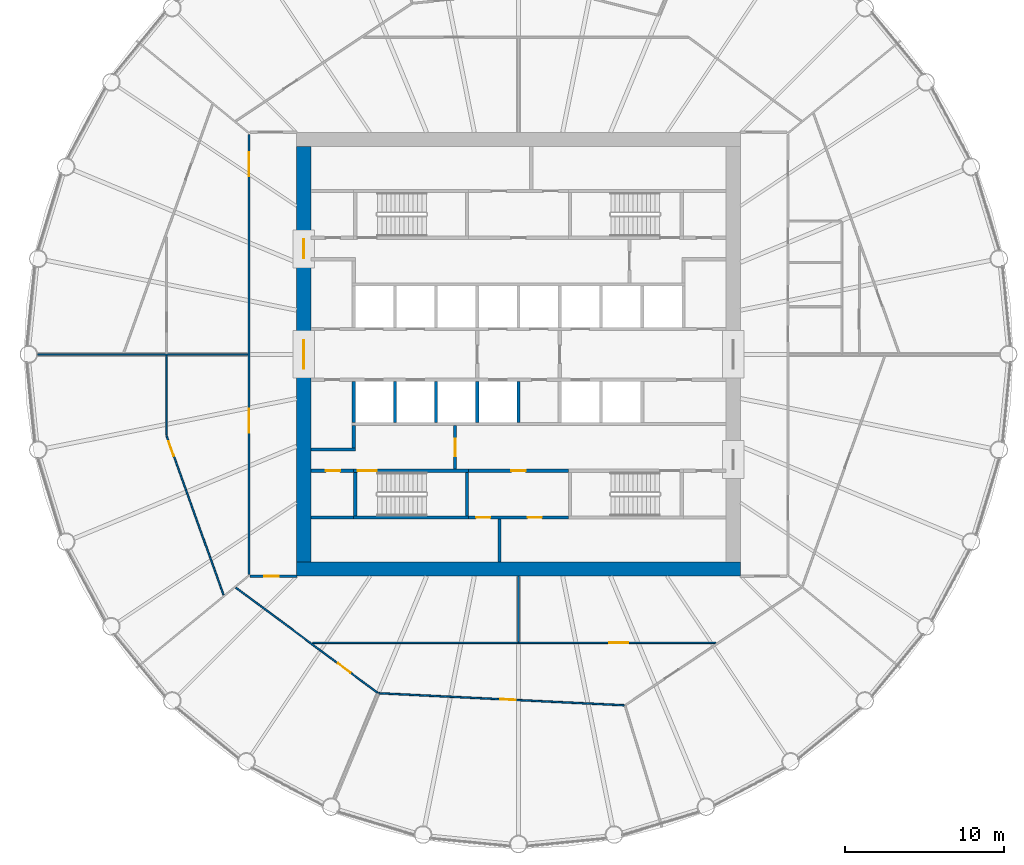
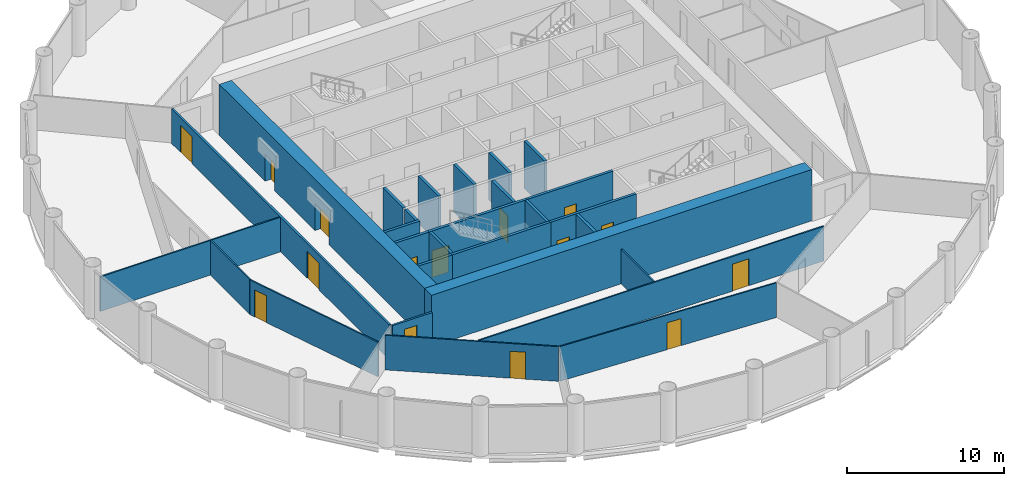
# One storey, part 4 of 9: 28 walls, 15 doors, 15 openings.
"""IFC4 building model written with IfcOpenShell, lengths in metres."""

from ifc_helpers import new_model, si_unit, direction, frame, frame_2d, origin, place, context, subcontext, project, spatial, polyline, rectangle, outline, extrude, material, layer, layer_set, type_object, element, fill, save


model = new_model("IFC4")

# Units and contexts
model_context = context("Model", 3, precision=1e-05, world=origin(), true_north=direction((0.0, 1.0)))
body_context = subcontext(model_context, "Body", "Model", "MODEL_VIEW")
ifc_project = project(units=[si_unit("LENGTHUNIT", "METRE"), si_unit("AREAUNIT", "SQUARE_METRE"), si_unit("VOLUMEUNIT", "CUBIC_METRE"), si_unit("PLANEANGLEUNIT", "RADIAN"), si_unit("MASSUNIT", "GRAM", prefix="KILO")], contexts=[model_context])

# Site, building, storey
site_placement = place(None, origin())
site = spatial("IfcSite", under=ifc_project, at=site_placement, CompositionType="ELEMENT")
building_placement = place(site_placement, origin())
building = spatial("IfcBuilding", under=site, at=building_placement, Name="Corvane Civic Tower", CompositionType="ELEMENT")
storey_placement = place(building_placement, frame((0.0, 0.0, 184.0)))
storey = spatial("IfcBuildingStorey", under=building, at=storey_placement, Name="L43", CompositionType="ELEMENT", Elevation=184.0)

# Wall
ifc_material_1 = material(Name="Concrete C60/75", Category="concrete")
ifc_layer_1 = layer(ifc_material_1, 0.89990234375)
ifc_layer_set_1 = layer_set([ifc_layer_1], Name="Concrete C60/75")
wall_type_1 = type_object("IfcWallType", Name="CORE WALL 900 C60/75", PredefinedType="SHEAR", material=ifc_layer_set_1)
wall_1_placement = place(storey_placement, frame((-14.0, -13.550048828125, 0.0), z_axis=(0.0, 0.0, 1.0), x_axis=(1.0, 0.0, 0.0)))
element("IfcWall", 1, at=wall_1_placement, inside=storey, type_object=wall_type_1, Name="W-L43-core-S", PredefinedType="SHEAR", context=body_context, shape_type="SweptSolid", body=[
    extrude(rectangle(XDim=28.0, YDim=0.89990234375, at=frame_2d((14.0, 0.0))), origin(), (0.0, 0.0, 1.0), 4.0),
])

# Wall, openings, doors
wall_2_placement = place(storey_placement, frame((-13.550048828125, -13.10009765625, 0.0), z_axis=(0.0, 0.0, 1.0), x_axis=(0.0, 1.0, 0.0)))
wall_2 = element("IfcWall", 2, at=wall_2_placement, inside=storey, type_object=wall_type_1, Name="W-L43-core-W", PredefinedType="SHEAR", context=body_context, shape_type="SweptSolid", body=[
    extrude(rectangle(XDim=26.2001953125, YDim=0.89990234375, at=frame_2d((13.10009765625, 0.0))), origin(), (0.0, 0.0, 1.0), 4.0),
])
opening_1_placement = place(wall_2_placement, frame((12.199951171875, 0.0, 0.0)))
opening_1 = element("IfcOpeningElement", 3, at=opening_1_placement, cuts=wall_2, Name="Opening L43.C24", PredefinedType="OPENING", context=body_context, shape_type="SweptSolid", body=[
    extrude(rectangle(XDim=1.800048828125, YDim=2.10009765625, at=frame_2d((0.89990234375, 1.050048828125))), frame((0.0, 0.4599609375, 0.0), z_axis=(0.0, -1.0, 0.0), x_axis=(1.0, 0.0, 0.0)), (0.0, 0.0, 1.0), 0.919921875),
])
opening_2_placement = place(wall_2_placement, frame((19.14990234375, 0.0, 0.0)))
opening_2 = element("IfcOpeningElement", 4, at=opening_2_placement, cuts=wall_2, Name="Opening L43.C26", PredefinedType="OPENING", context=body_context, shape_type="SweptSolid", body=[
    extrude(rectangle(XDim=1.199951171875, YDim=2.10009765625, at=frame_2d((0.60009765625, 1.050048828125))), frame((0.0, 0.4599609375, 0.0), z_axis=(0.0, -1.0, 0.0), x_axis=(1.0, 0.0, 0.0)), (0.0, 0.0, 1.0), 0.919921875),
])
ifc_material_2 = material(Name="Steel fire door leaf", Category="steel")
door_type_1 = type_object("IfcDoorType", Name="CR-DOOR-CORE-1800", OperationType="DOUBLE_DOOR_SINGLE_SWING", PredefinedType="DOOR", material=ifc_material_2)
door_1_placement = place(opening_1_placement, origin())
door_1 = element("IfcDoor", 5, at=door_1_placement, inside=storey, type_object=door_type_1, Name="L43 door", OperationType="DOUBLE_DOOR_SINGLE_SWING", OverallHeight=2.10009765625, OverallWidth=1.800048828125, PredefinedType="DOOR", context=body_context, shape_type="SweptSolid", body=[
    extrude(rectangle(XDim=1.800048828125, YDim=2.10009765625, at=frame_2d((0.89990234375, 1.050048828125))), frame((0.0, 0.02490234375, 0.0), z_axis=(0.0, -1.0, 0.0), x_axis=(1.0, 0.0, 0.0)), (0.0, 0.0, 1.0), 0.050048828125),
])
fill(opening_1, door_1)
door_2_placement = place(opening_2_placement, origin())
door_2 = element("IfcDoor", 6, at=door_2_placement, inside=storey, type_object=door_type_1, Name="L43 door", OperationType="DOUBLE_DOOR_SINGLE_SWING", OverallHeight=2.10009765625, OverallWidth=1.199951171875, PredefinedType="DOOR", context=body_context, shape_type="SweptSolid", body=[
    extrude(rectangle(XDim=1.199951171875, YDim=2.10009765625, at=frame_2d((0.60009765625, 1.050048828125))), frame((0.0, 0.02490234375, 0.0), z_axis=(0.0, -1.0, 0.0), x_axis=(1.0, 0.0, 0.0)), (0.0, 0.0, 1.0), 0.050048828125),
])
fill(opening_2, door_2)

ifc_material_3 = material(Name="Concrete C30/37", Category="concrete")
ifc_layer_2 = layer(ifc_material_3, 0.199951171875)
ifc_layer_set_2 = layer_set([ifc_layer_2], Name="Concrete C30/37")
wall_type_2 = type_object("IfcWallType", Name="CR-WALL-200", PredefinedType="PARTITIONING", material=ifc_layer_set_2)
wall_3_placement = place(storey_placement, frame((-3.14990234375, -10.300048828125, 0.0), z_axis=(0.0, 0.0, 1.0), x_axis=(1.0, 0.0, 0.0)))
wall_3 = element("IfcWall", 7, at=wall_3_placement, inside=storey, type_object=wall_type_2, Name="L43 partition wall", PredefinedType="PARTITIONING", context=body_context, shape_type="SweptSolid", body=[
    extrude(rectangle(XDim=6.2998046875, YDim=0.199951171875, at=frame_2d((3.14990234375, 0.0))), origin(), (0.0, 0.0, 1.0), 3.699951171875),
])
opening_3_placement = place(wall_3_placement, frame((0.47509765625, 0.0, 0.0)))
opening_3 = element("IfcOpeningElement", 8, at=opening_3_placement, cuts=wall_3, Name="Opening L43.C10", PredefinedType="OPENING", context=body_context, shape_type="SweptSolid", body=[
    extrude(rectangle(XDim=0.89990234375, YDim=2.10009765625, at=frame_2d((0.449951171875, 1.050048828125))), frame((0.0, 0.10986328125, 0.0), z_axis=(0.0, -1.0, 0.0), x_axis=(1.0, 0.0, 0.0)), (0.0, 0.0, 1.0), 0.219970703125),
])
opening_4_placement = place(wall_3_placement, frame((3.72509765625, 0.0, 0.0)))
opening_4 = element("IfcOpeningElement", 9, at=opening_4_placement, cuts=wall_3, Name="Opening L43.C11", PredefinedType="OPENING", context=body_context, shape_type="SweptSolid", body=[
    extrude(rectangle(XDim=0.89990234375, YDim=2.10009765625, at=frame_2d((0.449951171875, 1.050048828125))), frame((0.0, 0.10986328125, 0.0), z_axis=(0.0, -1.0, 0.0), x_axis=(1.0, 0.0, 0.0)), (0.0, 0.0, 1.0), 0.219970703125),
])
ifc_material_4 = material(Name="Steel fire door leaf", Category="steel")
door_type_2 = type_object("IfcDoorType", Name="CR-DOOR-900", OperationType="SINGLE_SWING_LEFT", PredefinedType="DOOR", material=ifc_material_4)
door_3_placement = place(opening_3_placement, origin())
door_3 = element("IfcDoor", 10, at=door_3_placement, inside=storey, type_object=door_type_2, Name="L43 door", OperationType="SINGLE_SWING_LEFT", OverallHeight=2.10009765625, OverallWidth=0.89990234375, PredefinedType="DOOR", context=body_context, shape_type="SweptSolid", body=[
    extrude(rectangle(XDim=0.89990234375, YDim=2.10009765625, at=frame_2d((0.449951171875, 1.050048828125))), frame((0.0, 0.02490234375, 0.0), z_axis=(0.0, -1.0, 0.0), x_axis=(1.0, 0.0, 0.0)), (0.0, 0.0, 1.0), 0.050048828125),
])
fill(opening_3, door_3)
door_4_placement = place(opening_4_placement, origin())
door_4 = element("IfcDoor", 11, at=door_4_placement, inside=storey, type_object=door_type_2, Name="L43 door", OperationType="SINGLE_SWING_LEFT", OverallHeight=2.10009765625, OverallWidth=0.89990234375, PredefinedType="DOOR", context=body_context, shape_type="SweptSolid", body=[
    extrude(rectangle(XDim=0.89990234375, YDim=2.10009765625, at=frame_2d((0.449951171875, 1.050048828125))), frame((0.0, 0.02490234375, 0.0), z_axis=(0.0, -1.0, 0.0), x_axis=(1.0, 0.0, 0.0)), (0.0, 0.0, 1.0), 0.050048828125),
])
fill(opening_4, door_4)

# Wall, opening, door
wall_4_placement = place(storey_placement, frame((-13.10009765625, -7.35009765625, 0.0), z_axis=(0.0, 0.0, 1.0), x_axis=(1.0, 0.0, 0.0)))
wall_4 = element("IfcWall", 12, at=wall_4_placement, inside=storey, type_object=wall_type_2, Name="L43 core partition wall", PredefinedType="PARTITIONING", context=body_context, shape_type="SweptSolid", body=[
    extrude(rectangle(XDim=2.7001953125, YDim=0.199951171875, at=frame_2d((1.35009765625, 0.0))), origin(), (0.0, 0.0, 1.0), 3.699951171875),
])
opening_5_placement = place(wall_4_placement, frame((0.949951171875, 0.0, 0.0)))
opening_5 = element("IfcOpeningElement", 13, at=opening_5_placement, cuts=wall_4, Name="Opening L43.C13", PredefinedType="OPENING", context=body_context, shape_type="SweptSolid", body=[
    extrude(rectangle(XDim=0.89990234375, YDim=2.10009765625, at=frame_2d((0.449951171875, 1.050048828125))), frame((0.0, 0.10986328125, 0.0), z_axis=(0.0, -1.0, 0.0), x_axis=(1.0, 0.0, 0.0)), (0.0, 0.0, 1.0), 0.219970703125),
])
door_5_placement = place(opening_5_placement, origin())
door_5 = element("IfcDoor", 14, at=door_5_placement, inside=storey, type_object=door_type_2, Name="L43 door", OperationType="SINGLE_SWING_LEFT", OverallHeight=2.10009765625, OverallWidth=0.89990234375, PredefinedType="DOOR", context=body_context, shape_type="SweptSolid", body=[
    extrude(rectangle(XDim=0.89990234375, YDim=2.10009765625, at=frame_2d((0.449951171875, 1.050048828125))), frame((0.0, 0.02490234375, 0.0), z_axis=(0.0, -1.0, 0.0), x_axis=(1.0, 0.0, 0.0)), (0.0, 0.0, 1.0), 0.050048828125),
])
fill(opening_5, door_5)

wall_5_placement = place(storey_placement, frame((-3.14990234375, -7.35009765625, 0.0), z_axis=(0.0, 0.0, 1.0), x_axis=(1.0, 0.0, 0.0)))
wall_5 = element("IfcWall", 15, at=wall_5_placement, inside=storey, type_object=wall_type_2, Name="L43 core partition wall", PredefinedType="PARTITIONING", context=body_context, shape_type="SweptSolid", body=[
    extrude(rectangle(XDim=6.2998046875, YDim=0.199951171875, at=frame_2d((3.14990234375, 0.0))), origin(), (0.0, 0.0, 1.0), 3.699951171875),
])
opening_6_placement = place(wall_5_placement, frame((2.699951171875, 0.0, 0.0)))
opening_6 = element("IfcOpeningElement", 16, at=opening_6_placement, cuts=wall_5, Name="Opening L43.C07", PredefinedType="OPENING", context=body_context, shape_type="SweptSolid", body=[
    extrude(rectangle(XDim=0.89990234375, YDim=2.10009765625, at=frame_2d((0.449951171875, 1.050048828125))), frame((0.0, 0.10986328125, 0.0), z_axis=(0.0, -1.0, 0.0), x_axis=(1.0, 0.0, 0.0)), (0.0, 0.0, 1.0), 0.219970703125),
])
door_6_placement = place(opening_6_placement, origin())
door_6 = element("IfcDoor", 17, at=door_6_placement, inside=storey, type_object=door_type_2, Name="L43 door", OperationType="SINGLE_SWING_LEFT", OverallHeight=2.10009765625, OverallWidth=0.89990234375, PredefinedType="DOOR", context=body_context, shape_type="SweptSolid", body=[
    extrude(rectangle(XDim=0.89990234375, YDim=2.10009765625, at=frame_2d((0.449951171875, 1.050048828125))), frame((0.0, 0.02490234375, 0.0), z_axis=(0.0, -1.0, 0.0), x_axis=(1.0, 0.0, 0.0)), (0.0, 0.0, 1.0), 0.050048828125),
])
fill(opening_6, door_6)

wall_6_placement = place(storey_placement, frame((-4.0, -7.25, 0.0), z_axis=(0.0, 0.0, 1.0), x_axis=(0.0, 1.0, 0.0)))
wall_6 = element("IfcWall", 18, at=wall_6_placement, inside=storey, type_object=wall_type_2, Name="L43 core partition wall", PredefinedType="PARTITIONING", context=body_context, shape_type="SweptSolid", body=[
    extrude(rectangle(XDim=2.75, YDim=0.199951171875, at=frame_2d((1.375, 0.0))), origin(), (0.0, 0.0, 1.0), 3.699951171875),
])
opening_7_placement = place(wall_6_placement, frame((0.824951171875, 0.0, 0.0)))
opening_7 = element("IfcOpeningElement", 19, at=opening_7_placement, cuts=wall_6, Name="Opening L43.C23", PredefinedType="OPENING", context=body_context, shape_type="SweptSolid", body=[
    extrude(rectangle(XDim=1.10009765625, YDim=2.10009765625, at=frame_2d((0.550048828125, 1.050048828125))), frame((0.0, 0.10986328125, 0.0), z_axis=(0.0, -1.0, 0.0), x_axis=(1.0, 0.0, 0.0)), (0.0, 0.0, 1.0), 0.219970703125),
])
ifc_material_5 = material(Name="Steel fire door leaf", Category="steel")
door_type_3 = type_object("IfcDoorType", Name="CR-DOOR-FFL-1100", OperationType="SINGLE_SWING_LEFT", PredefinedType="DOOR", material=ifc_material_5)
door_7_placement = place(opening_7_placement, origin())
door_7 = element("IfcDoor", 20, at=door_7_placement, inside=storey, type_object=door_type_3, Name="L43 lobby door", OperationType="SINGLE_SWING_LEFT", OverallHeight=2.10009765625, OverallWidth=1.10009765625, PredefinedType="DOOR", context=body_context, shape_type="SweptSolid", body=[
    extrude(rectangle(XDim=1.10009765625, YDim=2.10009765625, at=frame_2d((0.550048828125, 1.050048828125))), frame((0.0, 0.02490234375, 0.0), z_axis=(0.0, -1.0, 0.0), x_axis=(1.0, 0.0, 0.0)), (0.0, 0.0, 1.0), 0.050048828125),
])
fill(opening_7, door_7)

# Walls
wall_7_placement = place(storey_placement, origin())
element("IfcWall", 21, at=wall_7_placement, inside=storey, type_object=wall_type_2, Name="L43 core partition wall", PredefinedType="PARTITIONING", context=body_context, shape_type="SweptSolid", body=[
    extrude(outline(polyline([(-10.300048828125, -6.10009765625), (-13.10009765625, -6.10009765625), (-13.10009765625, -5.89990234375), (-10.300048828125, -5.89990234375), (-10.300048828125, -6.10009765625)])), origin(), (0.0, 0.0, 1.0), 3.699951171875),
])
wall_8_placement = place(storey_placement, origin())
element("IfcWall", 22, at=wall_8_placement, inside=storey, type_object=wall_type_2, Name="L43 core partition wall", PredefinedType="PARTITIONING", context=body_context, shape_type="SweptSolid", body=[
    extrude(outline(polyline([(-2.5, -1.699951171875), (-2.5, -4.2998046875), (-2.699951171875, -4.2998046875), (-2.699951171875, -1.699951171875), (-2.5, -1.699951171875)])), origin(), (0.0, 0.0, 1.0), 3.699951171875),
])
wall_9_placement = place(storey_placement, origin())
element("IfcWall", 23, at=wall_9_placement, inside=storey, type_object=wall_type_2, Name="L43 core partition wall", PredefinedType="PARTITIONING", context=body_context, shape_type="SweptSolid", body=[
    extrude(outline(polyline([(0.10009765625, -1.699951171875), (0.10009765625, -4.2998046875), (-0.10009765625, -4.2998046875), (-0.10009765625, -1.699951171875), (0.10009765625, -1.699951171875)])), origin(), (0.0, 0.0, 1.0), 3.699951171875),
])
wall_10_placement = place(storey_placement, origin())
element("IfcWall", 24, at=wall_10_placement, inside=storey, type_object=wall_type_2, Name="L43 core partition wall", PredefinedType="PARTITIONING", context=body_context, shape_type="SweptSolid", body=[
    extrude(outline(polyline([(-10.300048828125, -1.699951171875), (-10.300048828125, -4.2998046875), (-10.5, -4.2998046875), (-10.5, -1.699951171875), (-10.300048828125, -1.699951171875)])), origin(), (0.0, 0.0, 1.0), 3.699951171875),
])
wall_11_placement = place(storey_placement, origin())
element("IfcWall", 25, at=wall_11_placement, inside=storey, type_object=wall_type_2, Name="L43 core partition wall", PredefinedType="PARTITIONING", context=body_context, shape_type="SweptSolid", body=[
    extrude(outline(polyline([(-7.699951171875, -1.699951171875), (-7.699951171875, -4.2998046875), (-7.89990234375, -4.2998046875), (-7.89990234375, -1.699951171875), (-7.699951171875, -1.699951171875)])), origin(), (0.0, 0.0, 1.0), 3.699951171875),
])
wall_12_placement = place(storey_placement, origin())
element("IfcWall", 26, at=wall_12_placement, inside=storey, type_object=wall_type_2, Name="L43 core partition wall", PredefinedType="PARTITIONING", context=body_context, shape_type="SweptSolid", body=[
    extrude(outline(polyline([(-5.10009765625, -1.699951171875), (-5.10009765625, -4.2998046875), (-5.300048828125, -4.2998046875), (-5.300048828125, -1.699951171875), (-5.10009765625, -1.699951171875)])), origin(), (0.0, 0.0, 1.0), 3.699951171875),
])
wall_13_placement = place(storey_placement, origin())
element("IfcWall", 27, at=wall_13_placement, inside=storey, type_object=wall_type_2, Name="L43 core partition wall", PredefinedType="PARTITIONING", context=body_context, shape_type="SweptSolid", body=[
    extrude(outline(polyline([(-10.300048828125, -5.89990234375), (-10.5, -5.89990234375), (-10.5, -4.5), (-10.300048828125, -4.5), (-10.300048828125, -5.89990234375)])), origin(), (0.0, 0.0, 1.0), 3.699951171875),
])
wall_14_placement = place(storey_placement, origin())
element("IfcWall", 28, at=wall_14_placement, inside=storey, type_object=wall_type_2, Name="L43 core partition wall", PredefinedType="PARTITIONING", context=body_context, shape_type="SweptSolid", body=[
    extrude(outline(polyline([(-10.39990234375, -10.39990234375), (-13.10009765625, -10.39990234375), (-13.10009765625, -10.199951171875), (-10.39990234375, -10.199951171875), (-10.39990234375, -10.39990234375)])), origin(), (0.0, 0.0, 1.0), 3.699951171875),
])
wall_15_placement = place(storey_placement, origin())
element("IfcWall", 29, at=wall_15_placement, inside=storey, type_object=wall_type_2, Name="L43 core partition wall", PredefinedType="PARTITIONING", context=body_context, shape_type="SweptSolid", body=[
    extrude(outline(polyline([(-1.10009765625, -13.10009765625), (-1.300048828125, -13.10009765625), (-1.300048828125, -10.39990234375), (-1.10009765625, -10.39990234375), (-1.10009765625, -13.10009765625)])), origin(), (0.0, 0.0, 1.0), 3.699951171875),
])

# Wall, opening, door
ifc_material_6 = material(Name="Plasterboard")
ifc_layer_3 = layer(ifc_material_6, 0.10009765625)
ifc_layer_set_3 = layer_set([ifc_layer_3], Name="Plasterboard")
wall_type_3 = type_object("IfcWallType", Name="Partition 100 plasterboard on studs", PredefinedType="PARTITIONING", material=ifc_layer_set_3)
wall_16_placement = place(storey_placement, frame((-8.8203125, -21.380859375, 0.0), z_axis=(0.0, 0.0, 1.0), x_axis=(0.998795808247, -0.049060507826, 0.0)))
wall_16 = element("IfcWall", 30, at=wall_16_placement, inside=storey, type_object=wall_type_3, Name="Partition L43.003", PredefinedType="PARTITIONING", context=body_context, shape_type="SweptSolid", body=[
    extrude(rectangle(XDim=15.521240234375, YDim=0.10009765625, at=frame_2d((7.7607421875, 0.0))), origin(), (0.0, 0.0, 1.0), 2.699951171875),
])
opening_8_placement = place(wall_16_placement, frame((7.666259765625, 0.0, 0.0)))
opening_8 = element("IfcOpeningElement", 31, at=opening_8_placement, cuts=wall_16, Name="Opening L43.008", PredefinedType="OPENING", context=body_context, shape_type="SweptSolid", body=[
    extrude(rectangle(XDim=1.0, YDim=2.10009765625, at=frame_2d((0.5, 1.050048828125))), frame((0.0, 0.06005859375, 0.0), z_axis=(0.0, -1.0, 0.0), x_axis=(1.0, 0.0, 0.0)), (0.0, 0.0, 1.0), 0.1201171875),
])
ifc_material_7 = material(Name="Timber", Category="wood")
door_type_4 = type_object("IfcDoorType", Name="Single door 1000", OperationType="NOTDEFINED", PredefinedType="DOOR", material=ifc_material_7)
door_8_placement = place(opening_8_placement, frame((1.0, 0.0, 0.0), z_axis=(0.0, 0.0, 1.0), x_axis=(-1.0, 0.0, 0.0)))
door_8 = element("IfcDoor", 32, at=door_8_placement, inside=storey, type_object=door_type_4, Name="Door L43.008", OperationType="SINGLE_SWING_RIGHT", OverallHeight=2.10009765625, OverallWidth=1.0, PredefinedType="DOOR", context=body_context, shape_type="SweptSolid", body=[
    extrude(rectangle(XDim=1.0, YDim=2.10009765625, at=frame_2d((0.5, 1.050048828125))), frame((0.0, 0.02490234375, 0.0), z_axis=(0.0, -1.0, 0.0), x_axis=(1.0, 0.0, 0.0)), (0.0, 0.0, 1.0), 0.050048828125),
])
fill(opening_8, door_8)

wall_17_placement = place(storey_placement, frame((-17.83642578125, -14.718505859375, 0.0), z_axis=(0.0, 0.0, 1.0), x_axis=(0.803222478357, -0.595679150434, 0.0)))
wall_17 = element("IfcWall", 33, at=wall_17_placement, inside=storey, type_object=wall_type_3, Name="Partition L43.005", PredefinedType="PARTITIONING", context=body_context, shape_type="SweptSolid", body=[
    extrude(rectangle(XDim=11.142333984375, YDim=0.10009765625, at=frame_2d((5.5712890625, 0.0))), origin(), (0.0, 0.0, 1.0), 2.699951171875),
])
opening_9_placement = place(wall_17_placement, frame((8.012939453125, 0.0, 0.0)))
opening_9 = element("IfcOpeningElement", 34, at=opening_9_placement, cuts=wall_17, Name="Opening L43.009", PredefinedType="OPENING", context=body_context, shape_type="SweptSolid", body=[
    extrude(rectangle(XDim=1.0, YDim=2.10009765625, at=frame_2d((0.5, 1.050048828125))), frame((0.0, 0.06005859375, 0.0), z_axis=(0.0, -1.0, 0.0), x_axis=(1.0, 0.0, 0.0)), (0.0, 0.0, 1.0), 0.1201171875),
])
door_9_placement = place(opening_9_placement, frame((1.0, 0.0, 0.0), z_axis=(0.0, 0.0, 1.0), x_axis=(-1.0, 0.0, 0.0)))
door_9 = element("IfcDoor", 35, at=door_9_placement, inside=storey, type_object=door_type_4, Name="Door L43.009", OperationType="SINGLE_SWING_LEFT", OverallHeight=2.10009765625, OverallWidth=1.0, PredefinedType="DOOR", context=body_context, shape_type="SweptSolid", body=[
    extrude(rectangle(XDim=1.0, YDim=2.10009765625, at=frame_2d((0.5, 1.050048828125))), frame((0.0, 0.02490234375, 0.0), z_axis=(0.0, -1.0, 0.0), x_axis=(1.0, 0.0, 0.0)), (0.0, 0.0, 1.0), 0.050048828125),
])
fill(opening_9, door_9)

wall_18_placement = place(storey_placement, frame((-12.990478515625, -18.199951171875, 0.0), z_axis=(0.0, 0.0, 1.0), x_axis=(1.0, 0.0, 0.0)))
wall_18 = element("IfcWall", 36, at=wall_18_placement, inside=storey, type_object=wall_type_3, Name="Partition L43.008", PredefinedType="PARTITIONING", context=body_context, shape_type="SweptSolid", body=[
    extrude(rectangle(XDim=25.44580078125, YDim=0.10009765625, at=frame_2d((12.722900390625, 0.0))), origin(), (0.0, 0.0, 1.0), 2.699951171875),
])
opening_10_placement = place(wall_18_placement, frame((18.70068359375, 0.0, 0.0)))
opening_10 = element("IfcOpeningElement", 37, at=opening_10_placement, cuts=wall_18, Name="Opening L43.010", PredefinedType="OPENING", context=body_context, shape_type="SweptSolid", body=[
    extrude(rectangle(XDim=1.199951171875, YDim=2.10009765625, at=frame_2d((0.60009765625, 1.050048828125))), frame((0.0, 0.06005859375, 0.0), z_axis=(0.0, -1.0, 0.0), x_axis=(1.0, 0.0, 0.0)), (0.0, 0.0, 1.0), 0.1201171875),
])
ifc_material_8 = material(Name="Timber", Category="wood")
door_type_5 = type_object("IfcDoorType", Name="Double door 1200", OperationType="NOTDEFINED", PredefinedType="DOOR", material=ifc_material_8)
door_10_placement = place(opening_10_placement, frame((1.199951171875, 0.0, 0.0), z_axis=(0.0, 0.0, 1.0), x_axis=(-1.0, 0.0, 0.0)))
door_10 = element("IfcDoor", 38, at=door_10_placement, inside=storey, type_object=door_type_5, Name="Door L43.010", OperationType="DOUBLE_DOOR_SINGLE_SWING", OverallHeight=2.10009765625, OverallWidth=1.199951171875, PredefinedType="DOOR", context=body_context, shape_type="SweptSolid", body=[
    extrude(rectangle(XDim=1.199951171875, YDim=2.10009765625, at=frame_2d((0.60009765625, 1.050048828125))), frame((0.0, 0.02490234375, 0.0), z_axis=(0.0, -1.0, 0.0), x_axis=(1.0, 0.0, 0.0)), (0.0, 0.0, 1.0), 0.050048828125),
])
fill(opening_10, door_10)

# Wall
wall_19_placement = place(storey_placement, frame((0.0, -18.14990234375, 0.0), z_axis=(0.0, 0.0, 1.0), x_axis=(0.0, 1.0, 0.0)))
element("IfcWall", 39, at=wall_19_placement, inside=storey, type_object=wall_type_3, Name="Partition L43.009", PredefinedType="PARTITIONING", context=body_context, shape_type="SweptSolid", body=[
    extrude(rectangle(XDim=4.14990234375, YDim=0.10009765625, at=frame_2d((2.074951171875, 0.0))), origin(), (0.0, 0.0, 1.0), 2.699951171875),
])

# Wall, opening, door
wall_20_placement = place(storey_placement, frame((-22.20703125, -5.127197265625, 0.0), z_axis=(0.0, 0.0, 1.0), x_axis=(0.336879271098, -0.941547851521, 0.0)))
wall_20 = element("IfcWall", 40, at=wall_20_placement, inside=storey, type_object=wall_type_3, Name="Partition L43.010", PredefinedType="PARTITIONING", context=body_context, shape_type="SweptSolid", body=[
    extrude(rectangle(XDim=10.682373046875, YDim=0.10009765625, at=frame_2d((5.34130859375, 0.0))), origin(), (0.0, 0.0, 1.0), 2.699951171875),
])
opening_11_placement = place(wall_20_placement, frame((0.375732421875, 0.0, 0.0)))
opening_11 = element("IfcOpeningElement", 41, at=opening_11_placement, cuts=wall_20, Name="Opening L43.021", PredefinedType="OPENING", context=body_context, shape_type="SweptSolid", body=[
    extrude(rectangle(XDim=1.0, YDim=2.10009765625, at=frame_2d((0.5, 1.050048828125))), frame((0.0, 0.06005859375, 0.0), z_axis=(0.0, -1.0, 0.0), x_axis=(1.0, 0.0, 0.0)), (0.0, 0.0, 1.0), 0.1201171875),
])
door_11_placement = place(opening_11_placement, frame((1.0, 0.0, 0.0), z_axis=(0.0, 0.0, 1.0), x_axis=(-1.0, 0.0, 0.0)))
door_11 = element("IfcDoor", 42, at=door_11_placement, inside=storey, type_object=door_type_4, Name="Door L43.021", OperationType="SINGLE_SWING_LEFT", OverallHeight=2.10009765625, OverallWidth=1.0, PredefinedType="DOOR", context=body_context, shape_type="SweptSolid", body=[
    extrude(rectangle(XDim=1.0, YDim=2.10009765625, at=frame_2d((0.5, 1.050048828125))), frame((0.0, 0.02490234375, 0.0), z_axis=(0.0, -1.0, 0.0), x_axis=(1.0, 0.0, 0.0)), (0.0, 0.0, 1.0), 0.050048828125),
])
fill(opening_11, door_11)

# Walls
wall_21_placement = place(storey_placement, frame((-22.199951171875, -5.07470703125, 0.0), z_axis=(0.0, 0.0, 1.0), x_axis=(0.0, 1.0, 0.0)))
element("IfcWall", 43, at=wall_21_placement, inside=storey, type_object=wall_type_3, Name="Partition L43.016", PredefinedType="PARTITIONING", context=body_context, shape_type="SweptSolid", body=[
    extrude(rectangle(XDim=5.024658203125, YDim=0.10009765625, at=frame_2d((2.51220703125, 0.0))), origin(), (0.0, 0.0, 1.0), 2.699951171875),
])
wall_22_placement = place(storey_placement, frame((-30.33984375, 0.0, 0.0), z_axis=(0.0, 0.0, 1.0), x_axis=(1.0, 0.0, 0.0)))
element("IfcWall", 44, at=wall_22_placement, inside=storey, type_object=wall_type_3, Name="Partition L43.017", PredefinedType="PARTITIONING", context=body_context, shape_type="SweptSolid", body=[
    extrude(rectangle(XDim=13.264892578125, YDim=0.10009765625, at=frame_2d((6.63232421875, 0.0))), origin(), (0.0, 0.0, 1.0), 2.699951171875),
])

# Wall, opening, door
ifc_material_9 = material(Name="Concrete C50/60", Category="concrete")
ifc_layer_4 = layer(ifc_material_9, 0.199951171875)
ifc_layer_set_4 = layer_set([ifc_layer_4], Name="Concrete C50/60")
wall_type_4 = type_object("IfcWallType", Name="ST-WALL-200", PredefinedType="SHEAR", material=ifc_layer_set_4)
wall_23_placement = place(storey_placement, frame((-10.39990234375, -7.35009765625, 0.0), z_axis=(0.0, 0.0, 1.0), x_axis=(1.0, 0.0, 0.0)))
wall_23 = element("IfcWall", 45, at=wall_23_placement, inside=storey, type_object=wall_type_4, Name="L43 stair enclosure wall", PredefinedType="SHEAR", context=body_context, shape_type="SweptSolid", body=[
    extrude(rectangle(XDim=7.25, YDim=0.199951171875, at=frame_2d((3.625, 0.0))), origin(), (0.0, 0.0, 1.0), 3.699951171875),
])
opening_12_placement = place(wall_23_placement, frame((0.25, 0.0, 0.0)))
opening_12 = element("IfcOpeningElement", 46, at=opening_12_placement, cuts=wall_23, Name="Opening L43.C19", PredefinedType="OPENING", context=body_context, shape_type="SweptSolid", body=[
    extrude(rectangle(XDim=1.199951171875, YDim=2.10009765625, at=frame_2d((0.60009765625, 1.050048828125))), frame((0.0, 0.10986328125, 0.0), z_axis=(0.0, -1.0, 0.0), x_axis=(1.0, 0.0, 0.0)), (0.0, 0.0, 1.0), 0.219970703125),
])
ifc_material_10 = material(Name="Steel fire door leaf", Category="steel")
door_type_6 = type_object("IfcDoorType", Name="ST-DOOR-1200", OperationType="SINGLE_SWING_RIGHT", PredefinedType="DOOR", material=ifc_material_10)
door_12_placement = place(opening_12_placement, origin())
door_12 = element("IfcDoor", 47, at=door_12_placement, inside=storey, type_object=door_type_6, Name="L43 stair door", OperationType="SINGLE_SWING_RIGHT", OverallHeight=2.10009765625, OverallWidth=1.199951171875, PredefinedType="DOOR", context=body_context, shape_type="SweptSolid", body=[
    extrude(rectangle(XDim=1.199951171875, YDim=2.10009765625, at=frame_2d((0.60009765625, 1.050048828125))), frame((0.0, 0.02490234375, 0.0), z_axis=(0.0, -1.0, 0.0), x_axis=(1.0, 0.0, 0.0)), (0.0, 0.0, 1.0), 0.050048828125),
])
fill(opening_12, door_12)

# Walls
wall_24_placement = place(storey_placement, origin())
element("IfcWall", 48, at=wall_24_placement, inside=storey, type_object=wall_type_4, Name="L43 stair enclosure wall", PredefinedType="SHEAR", context=body_context, shape_type="SweptSolid", body=[
    extrude(outline(polyline([(-3.14990234375, -10.199951171875), (-3.14990234375, -10.39990234375), (-10.39990234375, -10.39990234375), (-10.39990234375, -10.199951171875), (-3.14990234375, -10.199951171875)])), origin(), (0.0, 0.0, 1.0), 3.699951171875),
])
wall_25_placement = place(storey_placement, origin())
element("IfcWall", 49, at=wall_25_placement, inside=storey, type_object=wall_type_4, Name="L43 stair enclosure wall", PredefinedType="SHEAR", context=body_context, shape_type="SweptSolid", body=[
    extrude(outline(polyline([(-3.14990234375, -7.449951171875), (-3.14990234375, -10.199951171875), (-3.35009765625, -10.199951171875), (-3.35009765625, -7.449951171875), (-3.14990234375, -7.449951171875)])), origin(), (0.0, 0.0, 1.0), 3.699951171875),
])
wall_26_placement = place(storey_placement, origin())
element("IfcWall", 50, at=wall_26_placement, inside=storey, type_object=wall_type_4, Name="L43 stair enclosure wall", PredefinedType="SHEAR", context=body_context, shape_type="SweptSolid", body=[
    extrude(outline(polyline([(-10.199951171875, -7.449951171875), (-10.199951171875, -10.199951171875), (-10.39990234375, -10.199951171875), (-10.39990234375, -7.449951171875), (-10.199951171875, -7.449951171875)])), origin(), (0.0, 0.0, 1.0), 3.699951171875),
])

# Wall, opening, door
ifc_material_11 = material(Name="Plasterboard")
ifc_layer_5 = layer(ifc_material_11, 0.14990234375)
ifc_layer_set_5 = layer_set([ifc_layer_5], Name="Plasterboard")
wall_type_5 = type_object("IfcWallType", Name="Tenancy wall 150 EI 60", PredefinedType="PARTITIONING", material=ifc_layer_set_5)
wall_27_placement = place(storey_placement, frame((-16.925048828125, -14.0, 0.0), z_axis=(0.0, 0.0, 1.0), x_axis=(1.0, 0.0, 0.0)))
wall_27 = element("IfcWall", 51, at=wall_27_placement, inside=storey, type_object=wall_type_5, Name="Partition L43.012", PredefinedType="PARTITIONING", context=body_context, shape_type="SweptSolid", body=[
    extrude(rectangle(XDim=2.93505859375, YDim=0.14990234375, at=frame_2d((1.467529296875, 0.0))), origin(), (0.0, 0.0, 1.0), 2.699951171875),
])
opening_13_placement = place(wall_27_placement, frame((0.892578125, 0.0, 0.0)))
opening_13 = element("IfcOpeningElement", 52, at=opening_13_placement, cuts=wall_27, Name="Opening L43.012", PredefinedType="OPENING", context=body_context, shape_type="SweptSolid", body=[
    extrude(rectangle(XDim=0.89990234375, YDim=2.10009765625, at=frame_2d((0.449951171875, 1.050048828125))), frame((0.0, 0.0849609375, 0.0), z_axis=(0.0, -1.0, 0.0), x_axis=(1.0, 0.0, 0.0)), (0.0, 0.0, 1.0), 0.169921875),
])
ifc_material_12 = material(Name="Steel and timber", Category="steel")
door_type_7 = type_object("IfcDoorType", Name="Fire door FD30S 900", OperationType="NOTDEFINED", PredefinedType="DOOR", material=ifc_material_12)
door_13_placement = place(opening_13_placement, frame((0.89990234375, 0.0, 0.0), z_axis=(0.0, 0.0, 1.0), x_axis=(-1.0, 0.0, 0.0)))
door_13 = element("IfcDoor", 53, at=door_13_placement, inside=storey, type_object=door_type_7, Name="Door L43.012", OperationType="SINGLE_SWING_LEFT", OverallHeight=2.10009765625, OverallWidth=0.89990234375, PredefinedType="DOOR", context=body_context, shape_type="SweptSolid", body=[
    extrude(rectangle(XDim=0.89990234375, YDim=2.10009765625, at=frame_2d((0.449951171875, 1.050048828125))), frame((0.0, 0.02490234375, 0.0), z_axis=(0.0, -1.0, 0.0), x_axis=(1.0, 0.0, 0.0)), (0.0, 0.0, 1.0), 0.050048828125),
])
fill(opening_13, door_13)

# Wall, openings, doors
wall_28_placement = place(storey_placement, frame((-17.0, -13.87646484375, 0.0), z_axis=(0.0, 0.0, 1.0), x_axis=(0.0, 1.0, 0.0)))
wall_28 = element("IfcWall", 54, at=wall_28_placement, inside=storey, type_object=wall_type_5, Name="Partition L43.014", PredefinedType="PARTITIONING", context=body_context, shape_type="SweptSolid", body=[
    extrude(rectangle(XDim=27.7529296875, YDim=0.14990234375, at=frame_2d((13.87646484375, 0.0))), origin(), (0.0, 0.0, 1.0), 2.699951171875),
])
opening_14_placement = place(wall_28_placement, frame((8.939697265625, 0.0, 0.0)))
opening_14 = element("IfcOpeningElement", 55, at=opening_14_placement, cuts=wall_28, Name="Opening L43.022", PredefinedType="OPENING", context=body_context, shape_type="SweptSolid", body=[
    extrude(rectangle(XDim=1.5, YDim=2.10009765625, at=frame_2d((0.75, 1.050048828125))), frame((0.0, 0.0849609375, 0.0), z_axis=(0.0, -1.0, 0.0), x_axis=(1.0, 0.0, 0.0)), (0.0, 0.0, 1.0), 0.169921875),
])
opening_15_placement = place(wall_28_placement, frame((25.11474609375, 0.0, 0.0)))
opening_15 = element("IfcOpeningElement", 56, at=opening_15_placement, cuts=wall_28, Name="Opening L43.025", PredefinedType="OPENING", context=body_context, shape_type="SweptSolid", body=[
    extrude(rectangle(XDim=1.5, YDim=2.10009765625, at=frame_2d((0.75, 1.050048828125))), frame((0.0, 0.0849609375, 0.0), z_axis=(0.0, -1.0, 0.0), x_axis=(1.0, 0.0, 0.0)), (0.0, 0.0, 1.0), 0.169921875),
])
ifc_material_13 = material(Name="Steel and timber", Category="steel")
door_type_8 = type_object("IfcDoorType", Name="Fire door FD60 double 1500", OperationType="NOTDEFINED", PredefinedType="DOOR", material=ifc_material_13)
door_14_placement = place(opening_14_placement, origin())
door_14 = element("IfcDoor", 57, at=door_14_placement, inside=storey, type_object=door_type_8, Name="Door L43.022", OperationType="DOUBLE_DOOR_SINGLE_SWING", OverallHeight=2.10009765625, OverallWidth=1.5, PredefinedType="DOOR", context=body_context, shape_type="SweptSolid", body=[
    extrude(rectangle(XDim=1.5, YDim=2.10009765625, at=frame_2d((0.75, 1.050048828125))), frame((0.0, 0.02490234375, 0.0), z_axis=(0.0, -1.0, 0.0), x_axis=(1.0, 0.0, 0.0)), (0.0, 0.0, 1.0), 0.050048828125),
])
fill(opening_14, door_14)
door_15_placement = place(opening_15_placement, origin())
door_15 = element("IfcDoor", 58, at=door_15_placement, inside=storey, type_object=door_type_8, Name="Door L43.025", OperationType="DOUBLE_DOOR_SINGLE_SWING", OverallHeight=2.10009765625, OverallWidth=1.5, PredefinedType="DOOR", context=body_context, shape_type="SweptSolid", body=[
    extrude(rectangle(XDim=1.5, YDim=2.10009765625, at=frame_2d((0.75, 1.050048828125))), frame((0.0, 0.02490234375, 0.0), z_axis=(0.0, -1.0, 0.0), x_axis=(1.0, 0.0, 0.0)), (0.0, 0.0, 1.0), 0.050048828125),
])
fill(opening_15, door_15)

save(model, "model.ifc")
